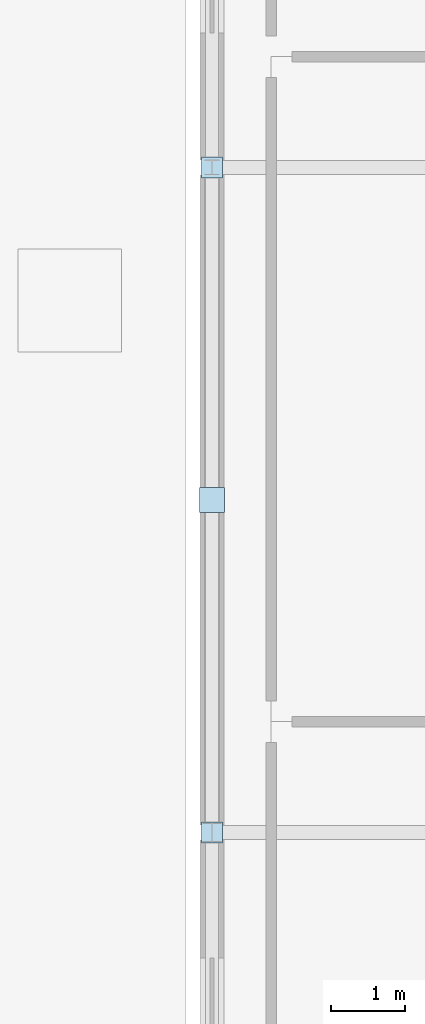
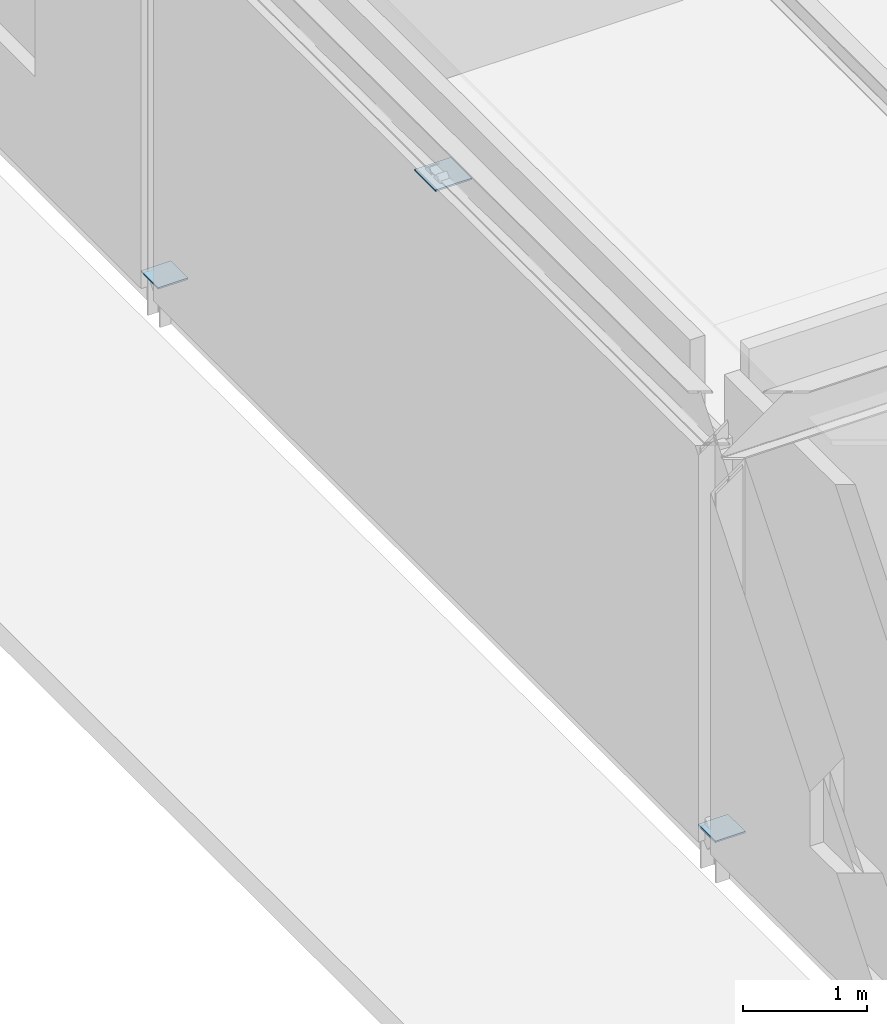
# One storey, part 83 of 119: 3 plates.
"""IFC4 building model written with IfcOpenShell, lengths in metres."""

from ifc_helpers import new_model, si_unit, derived_unit, direction, frame, origin, origin_2d_with_axis, place, context, subcontext, project, spatial, rectangle, extrude, material, layer, layer_set, type_object, element, save


model = new_model("IFC4")

# Units and contexts
model_context = context("Model", 3, precision=1e-05, world=origin(), true_north=direction((0.0, 1.0)))
body_context = subcontext(model_context, "Body", "Model", "MODEL_VIEW")
ifc_project = project(units=[si_unit("LENGTHUNIT", "METRE"), si_unit("AREAUNIT", "SQUARE_METRE"), si_unit("VOLUMEUNIT", "CUBIC_METRE"), si_unit("PLANEANGLEUNIT", "RADIAN"), si_unit("MASSUNIT", "GRAM", prefix="KILO"), derived_unit("THERMALTRANSMITTANCEUNIT", [(si_unit("POWERUNIT", "WATT"), 1), (si_unit("LENGTHUNIT", "METRE"), -2), (si_unit("THERMODYNAMICTEMPERATUREUNIT", "KELVIN"), -1)])], contexts=[model_context])

# Site, building, storey
site_placement = place(None, origin())
site = spatial("IfcSite", under=ifc_project, at=site_placement, CompositionType="ELEMENT")
building_placement = place(site_placement, origin())
building = spatial("IfcBuilding", under=site, at=building_placement, Name="Cinnabar Yard Market Hall", CompositionType="ELEMENT")
storey_placement = place(building_placement, origin())
storey = spatial("IfcBuildingStorey", under=building, at=storey_placement, Name="L00", CompositionType="ELEMENT", Elevation=0.0)

# Plates
ifc_material = material(Name="Steel Grade 350 (350 MPa)", Category="steel")
ifc_layer_1 = layer(ifc_material, 0.01611328125)
ifc_layer_set_1 = layer_set([ifc_layer_1], Name="Steel Grade 350 (350 MPa)")
plate_type_1 = type_object("IfcPlateType", Name="PL-NP18E", PredefinedType="SHEET", material=ifc_layer_set_1)
plate_placement = place(storey_placement, frame((10.0, 70.5, 3.85205078125), z_axis=(0.0, 0.0, 1.0), x_axis=(1.0, 0.0, 0.0)))
element("IfcPlate", 1, at=plate_placement, inside=storey, type_object=plate_type_1, Name="Brace Apex Gusset CBF-V2-W0", PredefinedType="SHEET", context=body_context, shape_type="SweptSolid", body=[
    extrude(rectangle(XDim=0.340087890625, YDim=0.340087890625, at=origin_2d_with_axis()), origin(), (0.0, 0.0, 1.0), 0.01611328125),
])
ifc_layer_2 = layer(ifc_material, 0.01611328125)
ifc_layer_set_2 = layer_set([ifc_layer_2], Name="Steel Grade 350 (350 MPa)")
plate_type_2 = type_object("IfcPlateType", Name="PL-NP19E", PredefinedType="SHEET", material=ifc_layer_set_2)
for number, where, z_axis, x_axis, name in (
    (2, (10.0, 66.0, 0.1318359375), (0.0, 0.0, 1.0), (1.0, 0.0, 0.0), "Brace Base Gusset CBF-V2-W0 L"),
    (3, (10.0, 75.0, 0.1318359375), (0.0, 0.0, 1.0), (1.0, 0.0, 0.0), "Brace Base Gusset CBF-V2-W0 R"),
):
    element("IfcPlate", number, at=place(storey_placement, frame(where, z_axis=z_axis, x_axis=x_axis)), inside=storey, type_object=plate_type_2, Name=name, PredefinedType="SHEET", context=body_context, shape_type="SweptSolid", body=[
        extrude(rectangle(XDim=0.280029296875, YDim=0.280029296875, at=origin_2d_with_axis()), origin(), (0.0, 0.0, 1.0), 0.01611328125),
    ])

save(model, "model.ifc")
